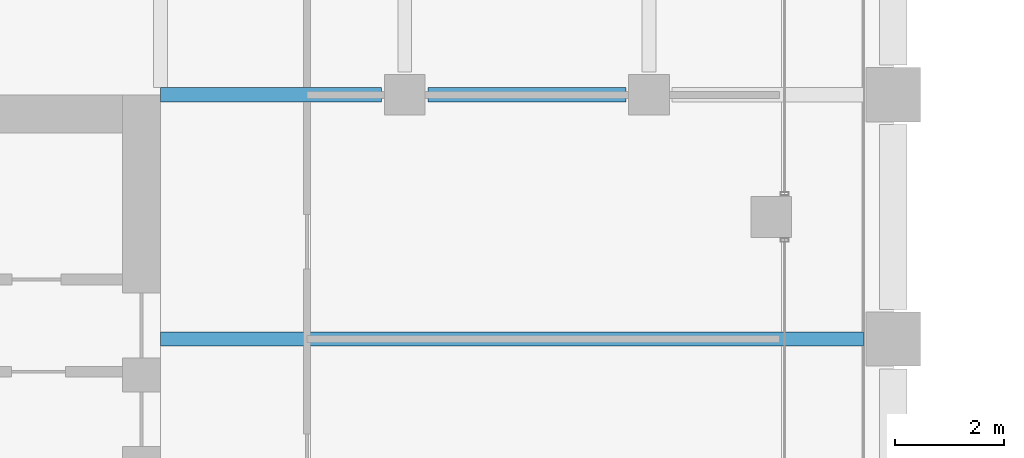
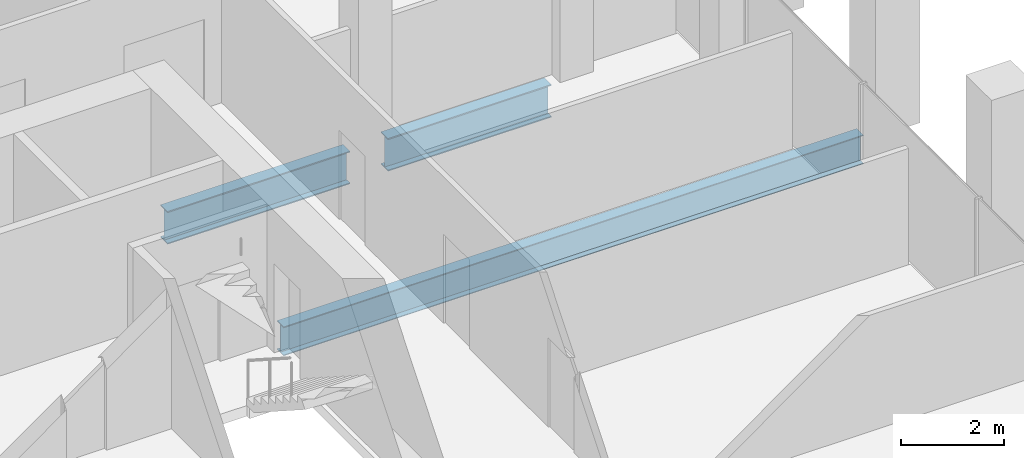
# One storey, part 18 of 52: 3 beams.
"""IFC4 building model written with IfcOpenShell, lengths in metres."""

from ifc_helpers import new_model, si_unit, direction, frame, origin, origin_2d, place, context, subcontext, project, spatial, i_section, extrude, material, material_profile, profile_set, type_object, element, save


model = new_model("IFC4")

# Units and contexts
model_context = context("Model", 3, precision=1e-05, world=origin(), true_north=direction((0.0, 1.0)))
body_context = subcontext(model_context, "Body", "Model", "MODEL_VIEW")
ifc_project = project(units=[si_unit("LENGTHUNIT", "METRE"), si_unit("AREAUNIT", "SQUARE_METRE"), si_unit("VOLUMEUNIT", "CUBIC_METRE"), si_unit("PLANEANGLEUNIT", "RADIAN"), si_unit("MASSUNIT", "GRAM", prefix="KILO")], contexts=[model_context])

# Site, building, storey
site_placement = place(None, origin())
site = spatial("IfcSite", under=ifc_project, at=site_placement, CompositionType="ELEMENT")
building_placement = place(site_placement, origin())
building = spatial("IfcBuilding", under=site, at=building_placement, Name="Altepetl Exchange Towers", CompositionType="ELEMENT")
storey_placement = place(building_placement, frame((0.0, 0.0, 92.0)))
storey = spatial("IfcBuildingStorey", under=building, at=storey_placement, Name="L22", CompositionType="ELEMENT", Elevation=92.0)

# Beams
ifc_material = material(Name="Steel S355", Category="steel")
ifc_material_profile_1 = material_profile(ifc_material, i_section(OverallWidth=0.25390625, OverallDepth=0.68408203125, WebThickness=0.012451171875, FlangeThickness=0.018798828125, at=origin_2d()), Name="W27X94")
ifc_profile_set_1 = profile_set([ifc_material_profile_1], Name="Steel S355")
beam_type_1 = type_object("IfcBeamType", Name="Floor beam W27X94", PredefinedType="BEAM", material=ifc_profile_set_1)
beam_1_placement = place(storey_placement, frame((58.5, 54.0, -0.491943359375), z_axis=(1.0, 0.0, 0.0), x_axis=(0.0, 1.0, 0.0)))
element("IfcBeam", 1, at=beam_1_placement, inside=storey, type_object=beam_type_1, Name="bm:A:L22:011", PredefinedType="BEAM", context=body_context, shape_type="SweptSolid", body=[
    extrude(i_section(OverallWidth=0.25390625, OverallDepth=0.68408203125, WebThickness=0.012451171875, FlangeThickness=0.018798828125, at=origin_2d()), origin(), (0.0, 0.0, 1.0), 12.949951171875),
])
ifc_material_profile_2 = material_profile(ifc_material, i_section(OverallWidth=0.26806640625, OverallDepth=0.77392578125, WebThickness=0.015380859375, FlangeThickness=0.025390625, at=origin_2d()), Name="W30X132")
ifc_profile_set_2 = profile_set([ifc_material_profile_2], Name="Steel S355")
beam_type_2 = type_object("IfcBeamType", Name="Girder W30X132", PredefinedType="BEAM", material=ifc_profile_set_2)
beam_2_placement = place(storey_placement, frame((58.5, 58.5, -0.537109375), z_axis=(1.0, 0.0, 0.0), x_axis=(0.0, 1.0, 0.0)))
element("IfcBeam", 2, at=beam_2_placement, inside=storey, type_object=beam_type_2, Name="gd:A:L22:000", PredefinedType="BEAM", context=body_context, shape_type="SweptSolid", body=[
    extrude(i_section(OverallWidth=0.26806640625, OverallDepth=0.77392578125, WebThickness=0.015380859375, FlangeThickness=0.025390625, at=origin_2d()), origin(), (0.0, 0.0, 1.0), 4.074951171875),
])
beam_3_placement = place(storey_placement, frame((63.425048828125, 58.5, -0.537109375), z_axis=(1.0, 0.0, 0.0), x_axis=(0.0, 1.0, 0.0)))
element("IfcBeam", 3, at=beam_3_placement, inside=storey, type_object=beam_type_2, Name="gd:A:L22:001", PredefinedType="BEAM", context=body_context, shape_type="SweptSolid", body=[
    extrude(i_section(OverallWidth=0.26806640625, OverallDepth=0.77392578125, WebThickness=0.015380859375, FlangeThickness=0.025390625, at=origin_2d()), origin(), (0.0, 0.0, 1.0), 3.64990234375),
])

save(model, "model.ifc")
